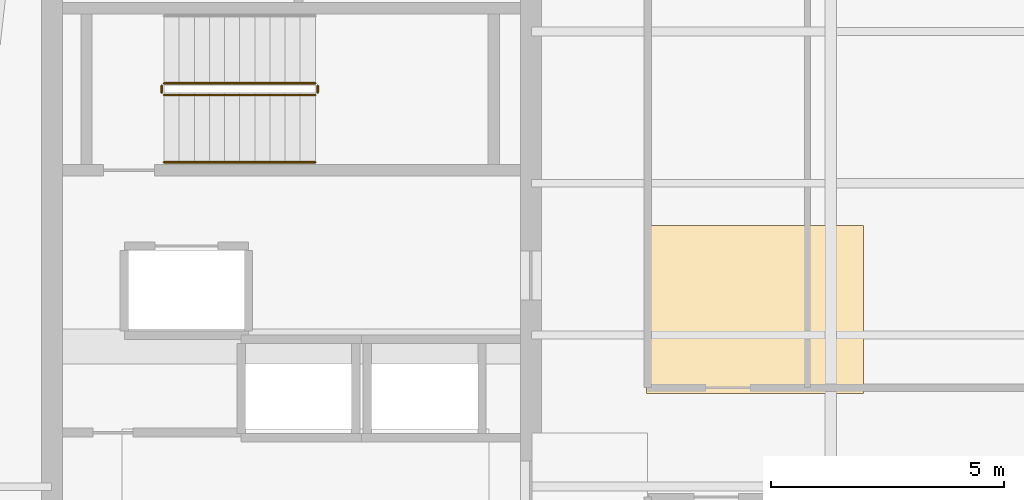
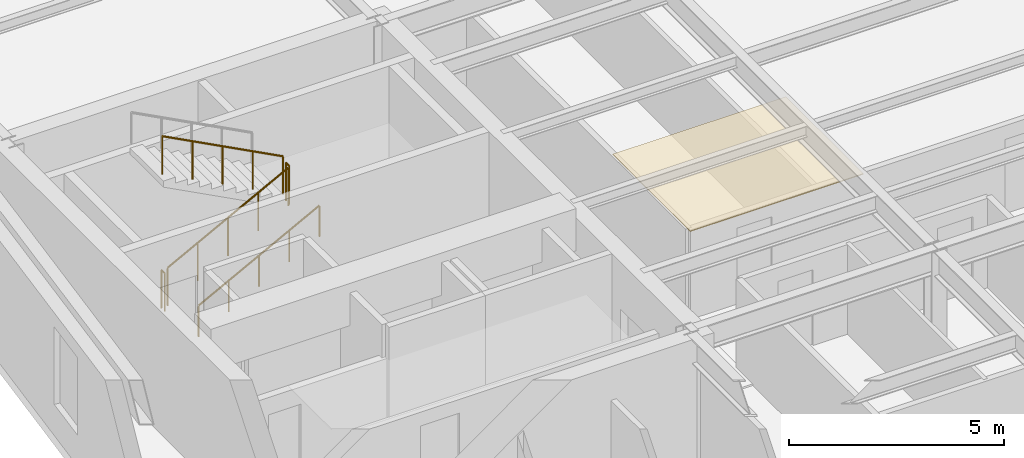
# One storey, part 11 of 14: 5 railings, 1 covering.
"""IFC4 building model written with IfcOpenShell, lengths in metres."""

from ifc_helpers import new_model, si_unit, direction, frame, origin, origin_2d, place, context, subcontext, project, spatial, polyline, circle, outline, extrude, material, layer, layer_set, type_object, element, save


model = new_model("IFC4")

# Units and contexts
model_context = context("Model", 3, precision=1e-05, world=origin(), true_north=direction((0.0, 1.0)))
body_context = subcontext(model_context, "Body", "Model", "MODEL_VIEW")
ifc_project = project(units=[si_unit("LENGTHUNIT", "METRE"), si_unit("AREAUNIT", "SQUARE_METRE"), si_unit("VOLUMEUNIT", "CUBIC_METRE"), si_unit("PLANEANGLEUNIT", "RADIAN"), si_unit("MASSUNIT", "GRAM", prefix="KILO")], contexts=[model_context])

# Site, building, storey
site_placement = place(None, origin())
site = spatial("IfcSite", under=ifc_project, at=site_placement, CompositionType="ELEMENT")
building_placement = place(site_placement, origin())
building = spatial("IfcBuilding", under=site, at=building_placement, Name="Kolvaren Arena Tower", CompositionType="ELEMENT")
storey_placement = place(building_placement, frame((0.0, 0.0, 258.449951171875)))
storey = spatial("IfcBuildingStorey", under=building, at=storey_placement, Name="L63", CompositionType="ELEMENT", Elevation=258.449951171875)

# Covering
ifc_material_1 = material(Name="Mineral fibre acoustic ceiling tile", Category="gypsum")
ifc_layer = layer(ifc_material_1, 0.02490234375)
ifc_layer_set = layer_set([ifc_layer], Name="Mineral fibre acoustic ceiling tile")
covering_type = type_object("IfcCoveringType", Name="CEIL-ACT-1", PredefinedType="CEILING", material=ifc_layer_set)
covering_placement = place(storey_placement, frame((0.0, 0.0, 2.52001953125)))
element("IfcCovering", 1, at=covering_placement, inside=storey, type_object=covering_type, Name="Suspended Ceiling (L63)", PredefinedType="CEILING", context=body_context, shape_type="SweptSolid", body=[
    extrude(outline(polyline([(27.050048828125, 24.0), (27.050048828125, 27.60009765625), (31.699951171875, 27.60009765625), (31.699951171875, 24.0), (27.050048828125, 24.0)])), origin(), (0.0, 0.0, 1.0), 0.025146484375),
])

# Railings
ifc_material_2 = material(Name="Painted galvanized steel", Category="steel")
railing_type_1 = type_object("IfcRailingType", Name="GUARD-ST-110", PredefinedType="GUARDRAIL", material=ifc_material_2)
railing_1_placement = place(storey_placement, frame((16.719970703125, 30.389892578125, 0.17041015625)))
element("IfcRailing", 2, at=railing_1_placement, inside=storey, type_object=railing_type_1, Name="L63 ST-W1 stair guard 1", PredefinedType="GUARDRAIL", context=body_context, shape_type="SweptSolid", body=[
    extrude(circle(Radius=0.02392578125, at=origin_2d()), frame((0.0, 0.0, 1.076171875), z_axis=(0.884993431791, 0.0, 0.465603506952), x_axis=(0.0, 1.0, 0.0)), (0.0, 0.0, 1.0), 3.6611328125),
    extrude(circle(Radius=0.02099609375, at=origin_2d()), origin(), (0.0, 0.0, 1.0), 1.052001953125),
    extrude(circle(Radius=0.02099609375, at=origin_2d()), frame((0.81005859375, 0.0, 0.42626953125)), (0.0, 0.0, 1.0), 1.052001953125),
    extrude(circle(Radius=0.02099609375, at=origin_2d()), frame((1.6201171875, 0.0, 0.852294921875)), (0.0, 0.0, 1.0), 1.052001953125),
    extrude(circle(Radius=0.02099609375, at=origin_2d()), frame((2.429931640625, 0.0, 1.2783203125)), (0.0, 0.0, 1.0), 1.052001953125),
    extrude(circle(Radius=0.02099609375, at=origin_2d()), frame((3.239990234375, 0.0, 1.70458984375)), (0.0, 0.0, 1.0), 1.052001953125),
])
railing_2_placement = place(storey_placement, frame((20.010009765625, 30.43994140625, 1.875)))
element("IfcRailing", 3, at=railing_2_placement, inside=storey, type_object=railing_type_1, Name="L63 ST-W1 stair guard 2", PredefinedType="GUARDRAIL", context=body_context, shape_type="SweptSolid", body=[
    extrude(circle(Radius=0.02392578125, at=origin_2d()), frame((0.0, 0.0, 1.076171875), z_axis=(0.0, 1.0, 0.0), x_axis=(-1.0, 0.0, 0.0)), (0.0, 0.0, 1.0), 0.150146484375),
    extrude(circle(Radius=0.02099609375, at=origin_2d()), origin(), (0.0, 0.0, 1.0), 1.052001953125),
    extrude(circle(Radius=0.02099609375, at=origin_2d()), frame((0.0, 0.150146484375, 0.0)), (0.0, 0.0, 1.0), 1.052001953125),
])
railing_3_placement = place(storey_placement, frame((19.9599609375, 30.639892578125, 2.04541015625)))
element("IfcRailing", 4, at=railing_3_placement, inside=storey, type_object=railing_type_1, Name="L63 ST-W1 stair guard 3", PredefinedType="GUARDRAIL", context=body_context, shape_type="SweptSolid", body=[
    extrude(circle(Radius=0.02392578125, at=origin_2d()), frame((0.0, 0.0, 1.076171875), z_axis=(-0.884993431791, 0.0, 0.465603506952), x_axis=(0.0, -1.0, 0.0)), (0.0, 0.0, 1.0), 3.6611328125),
    extrude(circle(Radius=0.02099609375, at=origin_2d()), origin(), (0.0, 0.0, 1.0), 1.052001953125),
    extrude(circle(Radius=0.02099609375, at=origin_2d()), frame((-0.81005859375, 0.0, 0.42626953125)), (0.0, 0.0, 1.0), 1.052001953125),
    extrude(circle(Radius=0.02099609375, at=origin_2d()), frame((-1.6201171875, 0.0, 0.852294921875)), (0.0, 0.0, 1.0), 1.052001953125),
    extrude(circle(Radius=0.02099609375, at=origin_2d()), frame((-2.429931640625, 0.0, 1.2783203125)), (0.0, 0.0, 1.0), 1.052001953125),
    extrude(circle(Radius=0.02099609375, at=origin_2d()), frame((-3.239990234375, 0.0, 1.70458984375)), (0.0, 0.0, 1.0), 1.052001953125),
])
railing_4_placement = place(storey_placement, frame((16.669921875, 30.43994140625, 0.0)))
element("IfcRailing", 5, at=railing_4_placement, inside=storey, type_object=railing_type_1, Name="L63 ST-W1 stair guard 4", PredefinedType="GUARDRAIL", context=body_context, shape_type="SweptSolid", body=[
    extrude(circle(Radius=0.02392578125, at=origin_2d()), frame((0.0, 0.0, 1.076171875), z_axis=(0.0, 1.0, 0.0), x_axis=(-1.0, 0.0, 0.0)), (0.0, 0.0, 1.0), 0.150146484375),
    extrude(circle(Radius=0.02099609375, at=origin_2d()), origin(), (0.0, 0.0, 1.0), 1.052001953125),
    extrude(circle(Radius=0.02099609375, at=origin_2d()), frame((0.0, 0.150146484375, 0.0)), (0.0, 0.0, 1.0), 1.052001953125),
])
ifc_material_3 = material(Name="Brushed stainless steel handrail", Category="steel")
railing_type_2 = type_object("IfcRailingType", Name="HRAIL-900", PredefinedType="HANDRAIL", material=ifc_material_3)
railing_5_placement = place(storey_placement, frame((16.719970703125, 28.949951171875, 0.17041015625)))
element("IfcRailing", 6, at=railing_5_placement, inside=storey, type_object=railing_type_2, Name="L63 ST-W1 stair handrail 1", PredefinedType="HANDRAIL", context=body_context, shape_type="SweptSolid", body=[
    extrude(circle(Radius=0.02392578125, at=origin_2d()), frame((0.0, 0.0, 0.8759765625), z_axis=(0.884993431791, 0.0, 0.465603506952), x_axis=(0.0, 1.0, 0.0)), (0.0, 0.0, 1.0), 3.6611328125),
    extrude(circle(Radius=0.02099609375, at=origin_2d()), origin(), (0.0, 0.0, 1.0), 0.851806640625),
    extrude(circle(Radius=0.02099609375, at=origin_2d()), frame((0.81005859375, 0.0, 0.42626953125)), (0.0, 0.0, 1.0), 0.851806640625),
    extrude(circle(Radius=0.02099609375, at=origin_2d()), frame((1.6201171875, 0.0, 0.852294921875)), (0.0, 0.0, 1.0), 0.851806640625),
    extrude(circle(Radius=0.02099609375, at=origin_2d()), frame((2.429931640625, 0.0, 1.2783203125)), (0.0, 0.0, 1.0), 0.851806640625),
    extrude(circle(Radius=0.02099609375, at=origin_2d()), frame((3.239990234375, 0.0, 1.70458984375)), (0.0, 0.0, 1.0), 0.851806640625),
])

save(model, "model.ifc")
